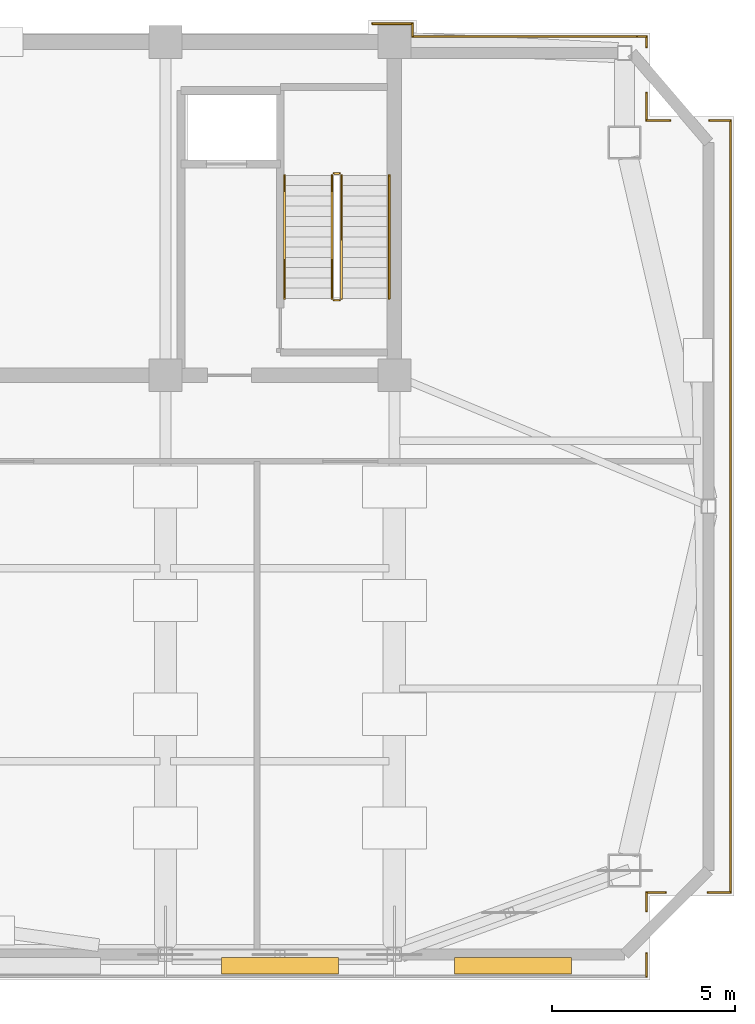
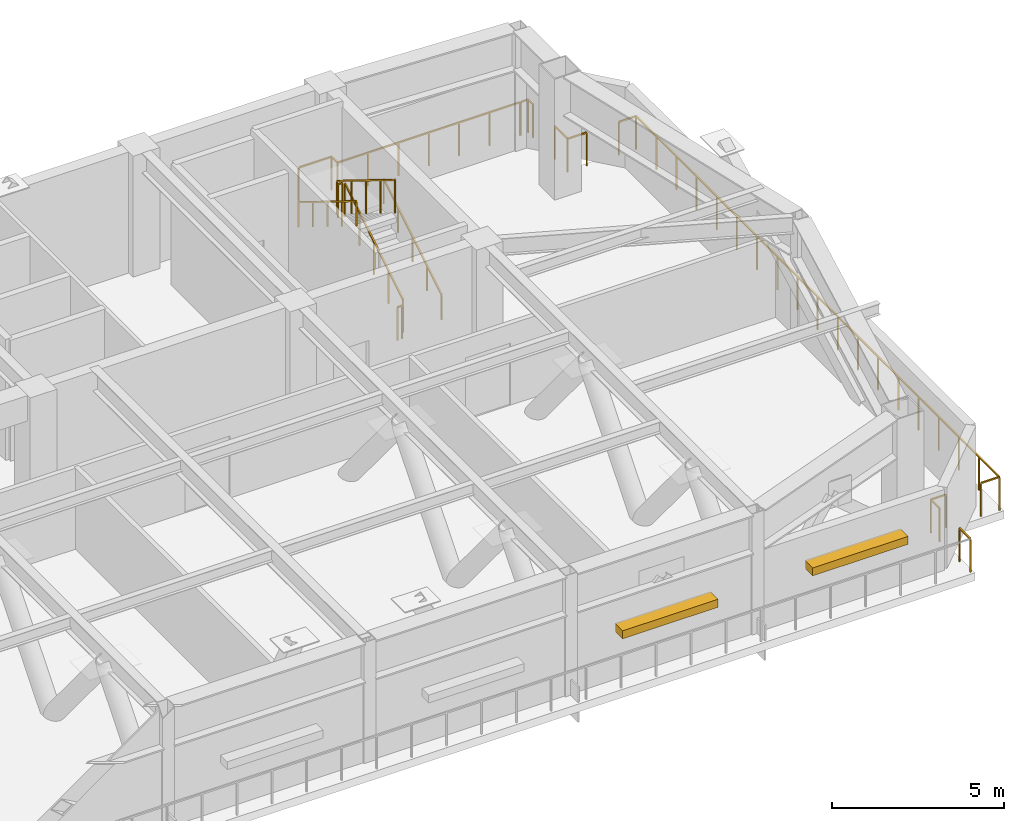
# One storey, part 7 of 7: 19 railings, 2 shading devices.
"""IFC4 building model written with IfcOpenShell, lengths in metres."""

from ifc_helpers import new_model, si_unit, direction, frame, origin, origin_2d, place, context, subcontext, project, spatial, rectangle, extrude, source, transform, mapped, material, type_object, element, save


model = new_model("IFC4")

# Units and contexts
model_context = context("Model", 3, precision=1e-05, world=origin(), true_north=direction((0.0, 1.0)))
body_context = subcontext(model_context, "Body", "Model", "MODEL_VIEW")
ifc_project = project(units=[si_unit("LENGTHUNIT", "METRE"), si_unit("AREAUNIT", "SQUARE_METRE"), si_unit("VOLUMEUNIT", "CUBIC_METRE"), si_unit("PLANEANGLEUNIT", "RADIAN"), si_unit("MASSUNIT", "GRAM", prefix="KILO")], contexts=[model_context])

# Site, building, storey
site_placement = place(None, origin())
site = spatial("IfcSite", under=ifc_project, at=site_placement, CompositionType="ELEMENT")
building_placement = place(site_placement, origin())
building = spatial("IfcBuilding", under=site, at=building_placement, Name="Giltprow Tower", CompositionType="ELEMENT")
storey_placement = place(building_placement, frame((0.0, 0.0, 327.800048828125)))
storey = spatial("IfcBuildingStorey", under=building, at=storey_placement, Name="L85", CompositionType="ELEMENT", Elevation=327.800048828125)

# Railings
ifc_material = material(Name="Anodized bronze", Category="metal")
railing_type_1 = type_object("IfcRailingType", Name="RAIL-BALC-GUARD-1200", PredefinedType="BALUSTRADE", material=ifc_material)
railing_1_placement = place(storey_placement, frame((59.73095703125, 44.407958984375, 0.0)))
element("IfcRailing", 1, at=railing_1_placement, inside=storey, type_object=railing_type_1, Name="L85 Corner Apron Edge Balustrade 1", PredefinedType="BALUSTRADE", context=body_context, shape_type="SweptSolid", body=[
    extrude(rectangle(XDim=0.048095703125, YDim=0.048095703125, at=origin_2d()), frame((0.0, 0.0, 1.17578125), z_axis=(0.0, -1.0, 0.0), x_axis=(1.0, 0.0, 0.0)), (0.0, 0.0, 1.0), 21.080078125),
    extrude(rectangle(XDim=0.0419921875, YDim=0.0419921875, at=origin_2d()), origin(), (0.0, 0.0, 1.0), 1.15185546875),
    extrude(rectangle(XDim=0.0419921875, YDim=0.0419921875, at=origin_2d()), frame((0.0, -1.171142578125, 0.0)), (0.0, 0.0, 1.0), 1.15185546875),
    extrude(rectangle(XDim=0.0419921875, YDim=0.0419921875, at=origin_2d()), frame((0.0, -2.34228515625, 0.0)), (0.0, 0.0, 1.0), 1.15185546875),
    extrude(rectangle(XDim=0.0419921875, YDim=0.0419921875, at=origin_2d()), frame((0.0, -3.513427734375, 0.0)), (0.0, 0.0, 1.0), 1.15185546875),
    extrude(rectangle(XDim=0.0419921875, YDim=0.0419921875, at=origin_2d()), frame((0.0, -4.6845703125, 0.0)), (0.0, 0.0, 1.0), 1.15185546875),
    extrude(rectangle(XDim=0.0419921875, YDim=0.0419921875, at=origin_2d()), frame((0.0, -5.85546875, 0.0)), (0.0, 0.0, 1.0), 1.15185546875),
    extrude(rectangle(XDim=0.0419921875, YDim=0.0419921875, at=origin_2d()), frame((0.0, -7.026611328125, 0.0)), (0.0, 0.0, 1.0), 1.15185546875),
    extrude(rectangle(XDim=0.0419921875, YDim=0.0419921875, at=origin_2d()), frame((0.0, -8.19775390625, 0.0)), (0.0, 0.0, 1.0), 1.15185546875),
    extrude(rectangle(XDim=0.0419921875, YDim=0.0419921875, at=origin_2d()), frame((0.0, -9.368896484375, 0.0)), (0.0, 0.0, 1.0), 1.15185546875),
    extrude(rectangle(XDim=0.0419921875, YDim=0.0419921875, at=origin_2d()), frame((0.0, -10.5400390625, 0.0)), (0.0, 0.0, 1.0), 1.15185546875),
    extrude(rectangle(XDim=0.0419921875, YDim=0.0419921875, at=origin_2d()), frame((0.0, -11.711181640625, 0.0)), (0.0, 0.0, 1.0), 1.15185546875),
    extrude(rectangle(XDim=0.0419921875, YDim=0.0419921875, at=origin_2d()), frame((0.0, -12.88232421875, 0.0)), (0.0, 0.0, 1.0), 1.15185546875),
    extrude(rectangle(XDim=0.0419921875, YDim=0.0419921875, at=origin_2d()), frame((0.0, -14.053466796875, 0.0)), (0.0, 0.0, 1.0), 1.15185546875),
    extrude(rectangle(XDim=0.0419921875, YDim=0.0419921875, at=origin_2d()), frame((0.0, -15.224609375, 0.0)), (0.0, 0.0, 1.0), 1.15185546875),
    extrude(rectangle(XDim=0.0419921875, YDim=0.0419921875, at=origin_2d()), frame((0.0, -16.3955078125, 0.0)), (0.0, 0.0, 1.0), 1.15185546875),
    extrude(rectangle(XDim=0.0419921875, YDim=0.0419921875, at=origin_2d()), frame((0.0, -17.566650390625, 0.0)), (0.0, 0.0, 1.0), 1.15185546875),
    extrude(rectangle(XDim=0.0419921875, YDim=0.0419921875, at=origin_2d()), frame((0.0, -18.73779296875, 0.0)), (0.0, 0.0, 1.0), 1.15185546875),
    extrude(rectangle(XDim=0.0419921875, YDim=0.0419921875, at=origin_2d()), frame((0.0, -19.908935546875, 0.0)), (0.0, 0.0, 1.0), 1.15185546875),
    extrude(rectangle(XDim=0.0419921875, YDim=0.0419921875, at=origin_2d()), frame((0.0, -21.080078125, 0.0)), (0.0, 0.0, 1.0), 1.15185546875),
])
railing_2_placement = place(storey_placement, frame((59.73095703125, 23.327880859375, 0.0)))
element("IfcRailing", 2, at=railing_2_placement, inside=storey, type_object=railing_type_1, Name="L85 Corner Apron Edge Balustrade 2", PredefinedType="BALUSTRADE", context=body_context, shape_type="SweptSolid", body=[
    extrude(rectangle(XDim=0.048095703125, YDim=0.048095703125, at=origin_2d()), frame((0.0, 0.0, 1.17578125), z_axis=(-1.0, 0.0, 0.0), x_axis=(0.0, -1.0, 0.0)), (0.0, 0.0, 1.0), 0.619873046875),
    extrude(rectangle(XDim=0.0419921875, YDim=0.0419921875, at=origin_2d()), origin(), (0.0, 0.0, 1.0), 1.15185546875),
    extrude(rectangle(XDim=0.0419921875, YDim=0.0419921875, at=origin_2d()), frame((-0.619873046875, 0.0, 0.0)), (0.0, 0.0, 1.0), 1.15185546875),
])
railing_3_placement = place(storey_placement, frame((57.950927734375, 23.327880859375, 0.0)))
element("IfcRailing", 3, at=railing_3_placement, inside=storey, type_object=railing_type_1, Name="L85 Corner Apron Edge Balustrade 3", PredefinedType="BALUSTRADE", context=body_context, shape_type="SweptSolid", body=[
    extrude(rectangle(XDim=0.048095703125, YDim=0.048095703125, at=origin_2d()), frame((0.0, 0.0, 1.17578125), z_axis=(-1.0, 0.0, 0.0), x_axis=(0.0, -1.0, 0.0)), (0.0, 0.0, 1.0), 0.512939453125),
    extrude(rectangle(XDim=0.0419921875, YDim=0.0419921875, at=origin_2d()), origin(), (0.0, 0.0, 1.0), 1.15185546875),
    extrude(rectangle(XDim=0.0419921875, YDim=0.0419921875, at=origin_2d()), frame((-0.512939453125, 0.0, 0.0)), (0.0, 0.0, 1.0), 1.15185546875),
])
railing_4_placement = place(storey_placement, frame((57.43798828125, 23.327880859375, 0.0)))
element("IfcRailing", 4, at=railing_4_placement, inside=storey, type_object=railing_type_1, Name="L85 Corner Apron Edge Balustrade 4", PredefinedType="BALUSTRADE", context=body_context, shape_type="SweptSolid", body=[
    extrude(rectangle(XDim=0.048095703125, YDim=0.048095703125, at=origin_2d()), frame((0.0, 0.0, 1.17578125), z_axis=(0.0, -1.0, 0.0), x_axis=(1.0, 0.0, 0.0)), (0.0, 0.0, 1.0), 0.512939453125),
    extrude(rectangle(XDim=0.0419921875, YDim=0.0419921875, at=origin_2d()), origin(), (0.0, 0.0, 1.0), 1.15185546875),
    extrude(rectangle(XDim=0.0419921875, YDim=0.0419921875, at=origin_2d()), frame((0.0, -0.512939453125, 0.0)), (0.0, 0.0, 1.0), 1.15185546875),
])
railing_5_placement = place(storey_placement, frame((57.43798828125, 21.655029296875, 0.0)))
element("IfcRailing", 5, at=railing_5_placement, inside=storey, type_object=railing_type_1, Name="L85 Corner Apron Edge Balustrade 5", PredefinedType="BALUSTRADE", context=body_context, shape_type="SweptSolid", body=[
    extrude(rectangle(XDim=0.048095703125, YDim=0.048095703125, at=origin_2d()), frame((0.0, 0.0, 1.17578125), z_axis=(0.0, -1.0, 0.0), x_axis=(1.0, 0.0, 0.0)), (0.0, 0.0, 1.0), 0.619140625),
    extrude(rectangle(XDim=0.0419921875, YDim=0.0419921875, at=origin_2d()), origin(), (0.0, 0.0, 1.0), 1.15185546875),
    extrude(rectangle(XDim=0.0419921875, YDim=0.0419921875, at=origin_2d()), frame((0.0, -0.619140625, 0.0)), (0.0, 0.0, 1.0), 1.15185546875),
])
railing_6_placement = place(storey_placement, frame((49.949951171875, 47.050048828125, 0.0)))
element("IfcRailing", 6, at=railing_6_placement, inside=storey, type_object=railing_type_1, Name="L85 Corner Apron Edge Balustrade 20", PredefinedType="BALUSTRADE", context=body_context, shape_type="SweptSolid", body=[
    extrude(rectangle(XDim=0.048095703125, YDim=0.048095703125, at=origin_2d()), frame((0.0, 0.0, 1.17578125), z_axis=(1.0, 0.0, 0.0), x_axis=(0.0, 1.0, 0.0)), (0.0, 0.0, 1.0), 1.10009765625),
    extrude(rectangle(XDim=0.0419921875, YDim=0.0419921875, at=origin_2d()), origin(), (0.0, 0.0, 1.0), 1.15185546875),
    extrude(rectangle(XDim=0.0419921875, YDim=0.0419921875, at=origin_2d()), frame((1.10009765625, 0.0, 0.0)), (0.0, 0.0, 1.0), 1.15185546875),
])
railing_7_placement = place(storey_placement, frame((51.050048828125, 47.050048828125, 0.0)))
element("IfcRailing", 7, at=railing_7_placement, inside=storey, type_object=railing_type_1, Name="L85 Corner Apron Edge Balustrade 21", PredefinedType="BALUSTRADE", context=body_context, shape_type="SweptSolid", body=[
    extrude(rectangle(XDim=0.048095703125, YDim=0.048095703125, at=origin_2d()), frame((0.0, 0.0, 1.17578125), z_axis=(0.0, -1.0, 0.0), x_axis=(1.0, 0.0, 0.0)), (0.0, 0.0, 1.0), 0.35009765625),
    extrude(rectangle(XDim=0.0419921875, YDim=0.0419921875, at=origin_2d()), origin(), (0.0, 0.0, 1.0), 1.15185546875),
    extrude(rectangle(XDim=0.0419921875, YDim=0.0419921875, at=origin_2d()), frame((0.0, -0.35009765625, 0.0)), (0.0, 0.0, 1.0), 1.15185546875),
])
railing_8_placement = place(storey_placement, frame((51.050048828125, 46.699951171875, 0.0)))
element("IfcRailing", 8, at=railing_8_placement, inside=storey, type_object=railing_type_1, Name="L85 Corner Apron Edge Balustrade 22", PredefinedType="BALUSTRADE", context=body_context, shape_type="SweptSolid", body=[
    extrude(rectangle(XDim=0.048095703125, YDim=0.048095703125, at=origin_2d()), frame((0.0, 0.0, 1.17578125), z_axis=(1.0, 0.0, 0.0), x_axis=(0.0, 1.0, 0.0)), (0.0, 0.0, 1.0), 6.114990234375),
    extrude(rectangle(XDim=0.0419921875, YDim=0.0419921875, at=origin_2d()), origin(), (0.0, 0.0, 1.0), 1.15185546875),
    extrude(rectangle(XDim=0.0419921875, YDim=0.0419921875, at=origin_2d()), frame((1.01904296875, 0.0, 0.0)), (0.0, 0.0, 1.0), 1.15185546875),
    extrude(rectangle(XDim=0.0419921875, YDim=0.0419921875, at=origin_2d()), frame((2.038330078125, 0.0, 0.0)), (0.0, 0.0, 1.0), 1.15185546875),
    extrude(rectangle(XDim=0.0419921875, YDim=0.0419921875, at=origin_2d()), frame((3.0576171875, 0.0, 0.0)), (0.0, 0.0, 1.0), 1.15185546875),
    extrude(rectangle(XDim=0.0419921875, YDim=0.0419921875, at=origin_2d()), frame((4.07666015625, 0.0, 0.0)), (0.0, 0.0, 1.0), 1.15185546875),
    extrude(rectangle(XDim=0.0419921875, YDim=0.0419921875, at=origin_2d()), frame((5.095703125, 0.0, 0.0)), (0.0, 0.0, 1.0), 1.15185546875),
    extrude(rectangle(XDim=0.0419921875, YDim=0.0419921875, at=origin_2d()), frame((6.114990234375, 0.0, 0.0)), (0.0, 0.0, 1.0), 1.15185546875),
])
railing_9_placement = place(storey_placement, frame((57.193115234375, 46.699951171875, 0.0)))
element("IfcRailing", 9, at=railing_9_placement, inside=storey, type_object=railing_type_1, Name="L85 Corner Apron Edge Balustrade 23", PredefinedType="BALUSTRADE", context=body_context, shape_type="SweptSolid", body=[
    extrude(rectangle(XDim=0.048095703125, YDim=0.048095703125, at=origin_2d()), frame((0.0, 0.0, 1.17578125), z_axis=(1.0, 0.0, 0.0), x_axis=(0.0, 1.0, 0.0)), (0.0, 0.0, 1.0), 0.244873046875),
    extrude(rectangle(XDim=0.0419921875, YDim=0.0419921875, at=origin_2d()), origin(), (0.0, 0.0, 1.0), 1.15185546875),
    extrude(rectangle(XDim=0.0419921875, YDim=0.0419921875, at=origin_2d()), frame((0.244873046875, 0.0, 0.0)), (0.0, 0.0, 1.0), 1.15185546875),
])
railing_10_placement = place(storey_placement, frame((57.43798828125, 46.699951171875, 0.0)))
element("IfcRailing", 10, at=railing_10_placement, inside=storey, type_object=railing_type_1, Name="L85 Corner Apron Edge Balustrade 24", PredefinedType="BALUSTRADE", context=body_context, shape_type="SweptSolid", body=[
    extrude(rectangle(XDim=0.048095703125, YDim=0.048095703125, at=origin_2d()), frame((0.0, 0.0, 1.17578125), z_axis=(0.0, -1.0, 0.0), x_axis=(1.0, 0.0, 0.0)), (0.0, 0.0, 1.0), 0.285888671875),
    extrude(rectangle(XDim=0.0419921875, YDim=0.0419921875, at=origin_2d()), origin(), (0.0, 0.0, 1.0), 1.15185546875),
    extrude(rectangle(XDim=0.0419921875, YDim=0.0419921875, at=origin_2d()), frame((0.0, -0.285888671875, 0.0)), (0.0, 0.0, 1.0), 1.15185546875),
])
railing_11_placement = place(storey_placement, frame((57.43798828125, 45.154052734375, 0.0)))
element("IfcRailing", 11, at=railing_11_placement, inside=storey, type_object=railing_type_1, Name="L85 Corner Apron Edge Balustrade 25", PredefinedType="BALUSTRADE", context=body_context, shape_type="SweptSolid", body=[
    extrude(rectangle(XDim=0.048095703125, YDim=0.048095703125, at=origin_2d()), frame((0.0, 0.0, 1.17578125), z_axis=(0.0, -1.0, 0.0), x_axis=(1.0, 0.0, 0.0)), (0.0, 0.0, 1.0), 0.74609375),
    extrude(rectangle(XDim=0.0419921875, YDim=0.0419921875, at=origin_2d()), origin(), (0.0, 0.0, 1.0), 1.15185546875),
    extrude(rectangle(XDim=0.0419921875, YDim=0.0419921875, at=origin_2d()), frame((0.0, -0.74609375, 0.0)), (0.0, 0.0, 1.0), 1.15185546875),
])
railing_12_placement = place(storey_placement, frame((57.43798828125, 44.407958984375, 0.0)))
element("IfcRailing", 12, at=railing_12_placement, inside=storey, type_object=railing_type_1, Name="L85 Corner Apron Edge Balustrade 26", PredefinedType="BALUSTRADE", context=body_context, shape_type="SweptSolid", body=[
    extrude(rectangle(XDim=0.048095703125, YDim=0.048095703125, at=origin_2d()), frame((0.0, 0.0, 1.17578125), z_axis=(1.0, 0.0, 0.0), x_axis=(0.0, 1.0, 0.0)), (0.0, 0.0, 1.0), 0.638916015625),
    extrude(rectangle(XDim=0.0419921875, YDim=0.0419921875, at=origin_2d()), origin(), (0.0, 0.0, 1.0), 1.15185546875),
    extrude(rectangle(XDim=0.0419921875, YDim=0.0419921875, at=origin_2d()), frame((0.638916015625, 0.0, 0.0)), (0.0, 0.0, 1.0), 1.15185546875),
])
railing_13_placement = place(storey_placement, frame((59.156982421875, 44.407958984375, 0.0)))
element("IfcRailing", 13, at=railing_13_placement, inside=storey, type_object=railing_type_1, Name="L85 Corner Apron Edge Balustrade 27", PredefinedType="BALUSTRADE", context=body_context, shape_type="SweptSolid", body=[
    extrude(rectangle(XDim=0.048095703125, YDim=0.048095703125, at=origin_2d()), frame((0.0, 0.0, 1.17578125), z_axis=(1.0, 0.0, 0.0), x_axis=(0.0, 1.0, 0.0)), (0.0, 0.0, 1.0), 0.573974609375),
    extrude(rectangle(XDim=0.0419921875, YDim=0.0419921875, at=origin_2d()), origin(), (0.0, 0.0, 1.0), 1.15185546875),
    extrude(rectangle(XDim=0.0419921875, YDim=0.0419921875, at=origin_2d()), frame((0.573974609375, 0.0, 0.0)), (0.0, 0.0, 1.0), 1.15185546875),
])
railing_type_2 = type_object("IfcRailingType", Name="RAIL-STAIR-GUARD-1200", PredefinedType="GUARDRAIL", material=ifc_material)
railing_14_placement = place(storey_placement, frame((49.110107421875, 39.550048828125, 0.173095703125)))
element("IfcRailing", 14, at=railing_14_placement, inside=storey, type_object=railing_type_2, Name="L85 ST-3 stair guard 1", PredefinedType="GUARDRAIL", context=body_context, shape_type="SweptSolid", body=[
    extrude(rectangle(XDim=0.048095703125, YDim=0.048095703125, at=origin_2d()), frame((0.0, 0.0, 1.17578125), z_axis=(0.0, 0.850606129759, 0.525803396734), x_axis=(-1.0, 0.0, 0.0)), (0.0, 0.0, 1.0), 3.949951171875),
    extrude(rectangle(XDim=0.0419921875, YDim=0.0419921875, at=origin_2d()), origin(), (0.0, 0.0, 1.0), 1.15185546875),
    extrude(rectangle(XDim=0.0419921875, YDim=0.0419921875, at=origin_2d()), frame((0.0, 0.83984375, 0.519287109375)), (0.0, 0.0, 1.0), 1.15185546875),
    extrude(rectangle(XDim=0.0419921875, YDim=0.0419921875, at=origin_2d()), frame((0.0, 1.679931640625, 1.03857421875)), (0.0, 0.0, 1.0), 1.15185546875),
    extrude(rectangle(XDim=0.0419921875, YDim=0.0419921875, at=origin_2d()), frame((0.0, 2.52001953125, 1.5576171875)), (0.0, 0.0, 1.0), 1.15185546875),
    extrude(rectangle(XDim=0.0419921875, YDim=0.0419921875, at=origin_2d()), frame((0.0, 3.35986328125, 2.076904296875)), (0.0, 0.0, 1.0), 1.15185546875),
])
railing_15_placement = place(storey_placement, frame((49.06005859375, 42.9599609375, 2.25)))
element("IfcRailing", 15, at=railing_15_placement, inside=storey, type_object=railing_type_2, Name="L85 ST-3 stair guard 2", PredefinedType="GUARDRAIL", context=body_context, shape_type="SweptSolid", body=[
    extrude(rectangle(XDim=0.048095703125, YDim=0.048095703125, at=origin_2d()), frame((0.0, 0.0, 1.17578125), z_axis=(-1.0, 0.0, 0.0), x_axis=(0.0, -1.0, 0.0)), (0.0, 0.0, 1.0), 0.16015625),
    extrude(rectangle(XDim=0.0419921875, YDim=0.0419921875, at=origin_2d()), origin(), (0.0, 0.0, 1.0), 1.15185546875),
    extrude(rectangle(XDim=0.0419921875, YDim=0.0419921875, at=origin_2d()), frame((-0.16015625, 0.0, 0.0)), (0.0, 0.0, 1.0), 1.15185546875),
])
railing_16_placement = place(storey_placement, frame((48.85009765625, 42.909912109375, 2.423095703125)))
element("IfcRailing", 16, at=railing_16_placement, inside=storey, type_object=railing_type_2, Name="L85 ST-3 stair guard 3", PredefinedType="GUARDRAIL", context=body_context, shape_type="SweptSolid", body=[
    extrude(rectangle(XDim=0.048095703125, YDim=0.048095703125, at=origin_2d()), frame((0.0, 0.0, 1.17578125), z_axis=(0.0, -0.850606129759, 0.525803396734), x_axis=(1.0, 0.0, 0.0)), (0.0, 0.0, 1.0), 3.949951171875),
    extrude(rectangle(XDim=0.0419921875, YDim=0.0419921875, at=origin_2d()), origin(), (0.0, 0.0, 1.0), 1.15185546875),
    extrude(rectangle(XDim=0.0419921875, YDim=0.0419921875, at=origin_2d()), frame((0.0, -0.83984375, 0.519287109375)), (0.0, 0.0, 1.0), 1.15185546875),
    extrude(rectangle(XDim=0.0419921875, YDim=0.0419921875, at=origin_2d()), frame((0.0, -1.679931640625, 1.03857421875)), (0.0, 0.0, 1.0), 1.15185546875),
    extrude(rectangle(XDim=0.0419921875, YDim=0.0419921875, at=origin_2d()), frame((0.0, -2.52001953125, 1.5576171875)), (0.0, 0.0, 1.0), 1.15185546875),
    extrude(rectangle(XDim=0.0419921875, YDim=0.0419921875, at=origin_2d()), frame((0.0, -3.35986328125, 2.076904296875)), (0.0, 0.0, 1.0), 1.15185546875),
])
railing_17_placement = place(storey_placement, frame((49.06005859375, 39.5, 0.0)))
element("IfcRailing", 17, at=railing_17_placement, inside=storey, type_object=railing_type_2, Name="L85 ST-3 stair guard 4", PredefinedType="GUARDRAIL", context=body_context, shape_type="SweptSolid", body=[
    extrude(rectangle(XDim=0.048095703125, YDim=0.048095703125, at=origin_2d()), frame((0.0, 0.0, 1.17578125), z_axis=(-1.0, 0.0, 0.0), x_axis=(0.0, -1.0, 0.0)), (0.0, 0.0, 1.0), 0.16015625),
    extrude(rectangle(XDim=0.0419921875, YDim=0.0419921875, at=origin_2d()), origin(), (0.0, 0.0, 1.0), 1.15185546875),
    extrude(rectangle(XDim=0.0419921875, YDim=0.0419921875, at=origin_2d()), frame((-0.16015625, 0.0, 0.0)), (0.0, 0.0, 1.0), 1.15185546875),
])
railing_type_3 = type_object("IfcRailingType", Name="RAIL-STAIR-HAND-900", PredefinedType="HANDRAIL", material=ifc_material)
railing_18_placement = place(storey_placement, frame((50.409912109375, 39.550048828125, 0.173095703125)))
element("IfcRailing", 18, at=railing_18_placement, inside=storey, type_object=railing_type_3, Name="L85 ST-3 stair handrail 1", PredefinedType="HANDRAIL", context=body_context, shape_type="SweptSolid", body=[
    extrude(rectangle(XDim=0.048095703125, YDim=0.048095703125, at=origin_2d()), frame((0.0, 0.0, 0.8759765625), z_axis=(0.0, 0.850606129759, 0.525803396734), x_axis=(-1.0, 0.0, 0.0)), (0.0, 0.0, 1.0), 3.949951171875),
    extrude(rectangle(XDim=0.0419921875, YDim=0.0419921875, at=origin_2d()), origin(), (0.0, 0.0, 1.0), 0.851806640625),
    extrude(rectangle(XDim=0.0419921875, YDim=0.0419921875, at=origin_2d()), frame((0.0, 0.83984375, 0.519287109375)), (0.0, 0.0, 1.0), 0.851806640625),
    extrude(rectangle(XDim=0.0419921875, YDim=0.0419921875, at=origin_2d()), frame((0.0, 1.679931640625, 1.03857421875)), (0.0, 0.0, 1.0), 0.851806640625),
    extrude(rectangle(XDim=0.0419921875, YDim=0.0419921875, at=origin_2d()), frame((0.0, 2.52001953125, 1.5576171875)), (0.0, 0.0, 1.0), 0.851806640625),
    extrude(rectangle(XDim=0.0419921875, YDim=0.0419921875, at=origin_2d()), frame((0.0, 3.35986328125, 2.076904296875)), (0.0, 0.0, 1.0), 0.851806640625),
])
railing_19_placement = place(storey_placement, frame((47.550048828125, 42.909912109375, 2.423095703125)))
element("IfcRailing", 19, at=railing_19_placement, inside=storey, type_object=railing_type_3, Name="L85 ST-3 stair handrail 2", PredefinedType="HANDRAIL", context=body_context, shape_type="SweptSolid", body=[
    extrude(rectangle(XDim=0.048095703125, YDim=0.048095703125, at=origin_2d()), frame((0.0, 0.0, 0.8759765625), z_axis=(0.0, -0.850606129759, 0.525803396734), x_axis=(1.0, 0.0, 0.0)), (0.0, 0.0, 1.0), 3.949951171875),
    extrude(rectangle(XDim=0.0419921875, YDim=0.0419921875, at=origin_2d()), origin(), (0.0, 0.0, 1.0), 0.851806640625),
    extrude(rectangle(XDim=0.0419921875, YDim=0.0419921875, at=origin_2d()), frame((0.0, -0.83984375, 0.519287109375)), (0.0, 0.0, 1.0), 0.851806640625),
    extrude(rectangle(XDim=0.0419921875, YDim=0.0419921875, at=origin_2d()), frame((0.0, -1.679931640625, 1.03857421875)), (0.0, 0.0, 1.0), 0.851806640625),
    extrude(rectangle(XDim=0.0419921875, YDim=0.0419921875, at=origin_2d()), frame((0.0, -2.52001953125, 1.5576171875)), (0.0, 0.0, 1.0), 0.851806640625),
    extrude(rectangle(XDim=0.0419921875, YDim=0.0419921875, at=origin_2d()), frame((0.0, -3.35986328125, 2.076904296875)), (0.0, 0.0, 1.0), 0.851806640625),
])

# Shading devices
shading_device_type = type_object("IfcShadingDeviceType", Name="SHD-LOUVRE-320", PredefinedType="JALOUSIE", material=ifc_material)
shared_shape = source(origin(), body_context, "Body", "SweptSolid", [
    extrude(rectangle(XDim=3.199951171875, YDim=0.449951171875, at=origin_2d()), origin(), (0.0, 0.0, 1.0), 0.280029296875),
])
for number, where, z_axis, x_axis, name in (
    (20, (47.425048828125, 21.325927734375, 1.66015625), (0.0, 0.0, 1.0), (1.0, 0.0, 0.0), "L85 Refuge Intake Louvre S-5"),
    (21, (53.7939453125, 21.325927734375, 1.66015625), (0.0, 0.0, 1.0), (1.0, 0.0, 0.0), "L85 Refuge Intake Louvre S-6"),
):
    element("IfcShadingDevice", number, at=place(storey_placement, frame(where, z_axis=z_axis, x_axis=x_axis)), inside=storey, type_object=shading_device_type, Name=name, PredefinedType="JALOUSIE", context=body_context, shape_type="MappedRepresentation", body=[
        mapped(shared_shape, transform((0.0, 0.0, 0.0), x_axis=(1.0, 0.0, 0.0), y_axis=(0.0, 1.0, 0.0), z_axis=(0.0, 0.0, 1.0), scale=1.0)),
    ])

save(model, "model.ifc")
